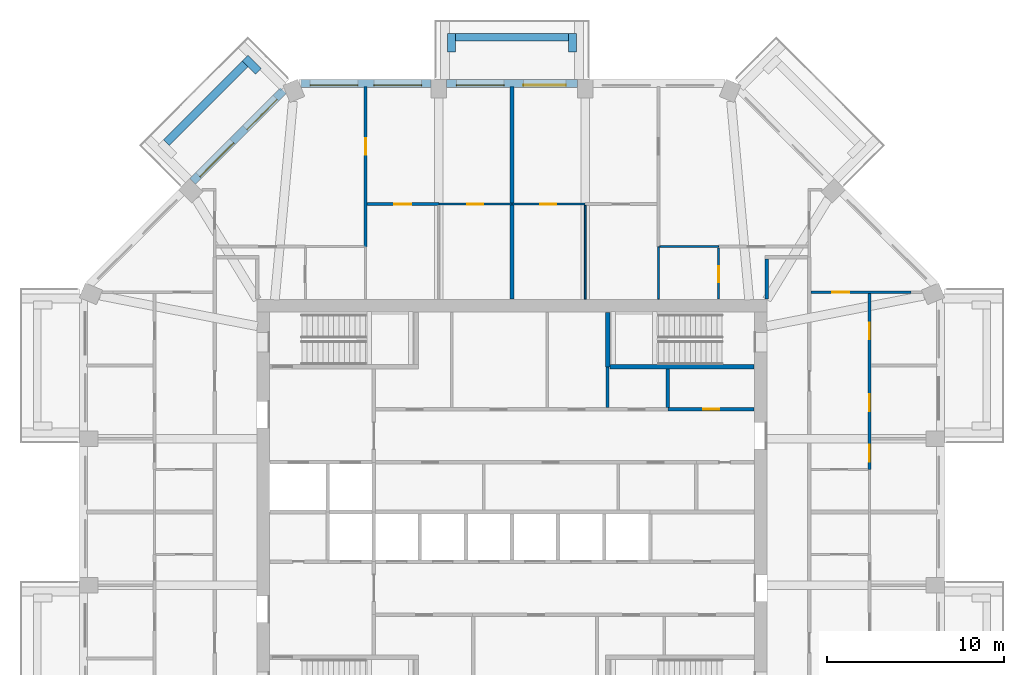
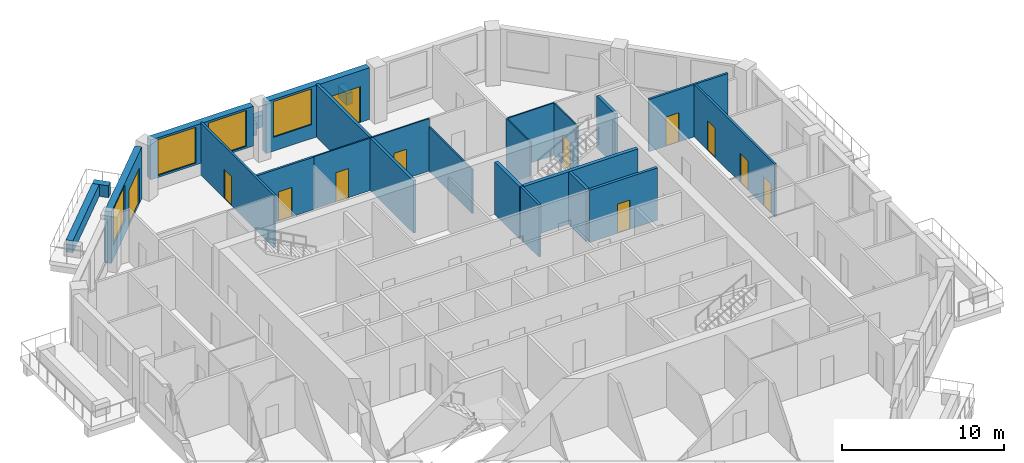
# One storey, part 8 of 12: 25 walls, 12 doors, 4 windows, 16 openings.
"""IFC4 building model written with IfcOpenShell, lengths in metres."""

from ifc_helpers import new_model, si_unit, direction, frame, frame_2d, origin, place, context, subcontext, project, spatial, rectangle, extrude, material, layer, layer_set, type_object, element, fill, save


model = new_model("IFC4")

# Units and contexts
model_context = context("Model", 3, precision=1e-05, world=origin(), true_north=direction((0.0, 1.0)))
body_context = subcontext(model_context, "Body", "Model", "MODEL_VIEW")
ifc_project = project(units=[si_unit("LENGTHUNIT", "METRE"), si_unit("AREAUNIT", "SQUARE_METRE"), si_unit("VOLUMEUNIT", "CUBIC_METRE"), si_unit("PLANEANGLEUNIT", "RADIAN"), si_unit("MASSUNIT", "GRAM", prefix="KILO")], contexts=[model_context])

# Site, building, storey
site_placement = place(None, origin())
site = spatial("IfcSite", under=ifc_project, at=site_placement, CompositionType="ELEMENT")
building_placement = place(site_placement, origin())
building = spatial("IfcBuilding", under=site, at=building_placement, Name="Msitu Wima Residences", CompositionType="ELEMENT")
storey_placement = place(building_placement, frame((0.0, 0.0, 166.5)))
storey = spatial("IfcBuildingStorey", under=building, at=storey_placement, Name="L38", CompositionType="ELEMENT", Elevation=166.5)

# Walls
ifc_material_1 = material(Name="Facing brick")
ifc_layer_1 = layer(ifc_material_1, 0.06494140625, Name="Facing brick")
ifc_material_2 = material(Name="Concrete C40/50", Category="concrete")
ifc_layer_2 = layer(ifc_material_2, 0.156005859375, Name="Concrete C40/50")
ifc_material_3 = material(Name="Waterproofing membrane")
ifc_layer_3 = layer(ifc_material_3, 0.00390625, Name="Waterproofing membrane")
ifc_material_4 = material(Name="Planting soil and planting")
ifc_layer_4 = layer(ifc_material_4, 0.22509765625, Name="Planting soil and planting")
ifc_layer_set_1 = layer_set([ifc_layer_1, ifc_layer_2, ifc_layer_3, ifc_layer_4], Name="Concrete C40/50")
wall_type_1 = type_object("IfcWallType", Name="Balcony planter PLANTER PL450", PredefinedType="USERDEFINED", material=ifc_layer_set_1)
wall_1_placement = place(storey_placement, frame((3.187255859375, 26.824951171875, 0.0), z_axis=(0.0, 0.0, 1.0), x_axis=(-1.0, 0.0, 0.0)))
element("IfcWall", 1, at=wall_1_placement, inside=storey, type_object=wall_type_1, Name="Balcony planter N1 L38", ObjectType="PLANTER", PredefinedType="USERDEFINED", context=body_context, shape_type="SweptSolid", body=[
    extrude(rectangle(XDim=6.37451171875, YDim=0.449951171875, at=frame_2d((3.187255859375, 0.0))), origin(), (0.0, 0.0, 1.0), 0.89990234375),
])
for number, where, z_axis, x_axis, name in (
    (2, (3.412353515625, 26.0, 0.0), (0.0, 0.0, 1.0), (0.0, 1.0, 0.0), "Balcony planter N1 L38"),
    (3, (-3.412353515625, 26.0, 0.0), (0.0, 0.0, 1.0), (0.0, 1.0, 0.0), "Balcony planter N1 L38"),
):
    element("IfcWall", number, at=place(storey_placement, frame(where, z_axis=z_axis, x_axis=x_axis)), inside=storey, type_object=wall_type_1, Name=name, ObjectType="PLANTER", PredefinedType="USERDEFINED", context=body_context, shape_type="SweptSolid", body=[
        extrude(rectangle(XDim=1.050048828125, YDim=0.449951171875, at=frame_2d((0.52490234375, 0.0))), origin(), (0.0, 0.0, 1.0), 0.89990234375),
    ])
wall_2_placement = place(storey_placement, frame((-15.0810546875, 25.325927734375, 0.0), z_axis=(0.0, 0.0, 1.0), x_axis=(-0.707106781187, -0.707106781187, 0.0)))
element("IfcWall", 4, at=wall_2_placement, inside=storey, type_object=wall_type_1, Name="Balcony planter NW0 L38", ObjectType="PLANTER", PredefinedType="USERDEFINED", context=body_context, shape_type="SweptSolid", body=[
    extrude(rectangle(XDim=6.294189453125, YDim=0.449951171875, at=frame_2d((3.14697265625, 0.0))), origin(), (0.0, 0.0, 1.0), 0.89990234375),
])
wall_3_placement = place(storey_placement, frame((-14.338623046875, 24.901611328125, 0.0), z_axis=(0.0, 0.0, 1.0), x_axis=(-0.707106781187, 0.707106781187, 0.0)))
element("IfcWall", 5, at=wall_3_placement, inside=storey, type_object=wall_type_1, Name="Balcony planter NW0 L38", ObjectType="PLANTER", PredefinedType="USERDEFINED", context=body_context, shape_type="SweptSolid", body=[
    extrude(rectangle(XDim=1.050048828125, YDim=0.449951171875, at=frame_2d((0.52490234375, 0.0))), origin(), (0.0, 0.0, 1.0), 0.89990234375),
])

# Wall, openings, door, window
ifc_material_5 = material(Name="Brick (red buff mix)", Category="masonry")
ifc_layer_5 = layer(ifc_material_5, 0.449951171875)
ifc_layer_set_2 = layer_set([ifc_layer_5], Name="Brick (red buff mix)")
wall_type_2 = type_object("IfcWallType", Name="Brick infill wall BW450", PredefinedType="SOLIDWALL", material=ifc_layer_set_2)
wall_4_placement = place(storey_placement, frame((3.687255859375, 24.22509765625, 0.0), z_axis=(0.0, 0.0, 1.0), x_axis=(-1.0, 0.0, 0.0)))
wall_4 = element("IfcWall", 6, at=wall_4_placement, inside=storey, type_object=wall_type_2, Name="Brick infill wall L38 N1", PredefinedType="SOLIDWALL", context=body_context, shape_type="SweptSolid", body=[
    extrude(rectangle(XDim=7.37451171875, YDim=0.449951171875, at=frame_2d((3.687255859375, 0.0))), origin(), (0.0, 0.0, 1.0), 3.89990234375),
])
opening_1_placement = place(wall_4_placement, frame((0.6435546875, 0.0, 0.0)))
opening_1 = element("IfcOpeningElement", 7, at=opening_1_placement, cuts=wall_4, Name="Opening D38-39.003", PredefinedType="OPENING", context=body_context, shape_type="SweptSolid", body=[
    extrude(rectangle(XDim=2.39990234375, YDim=2.699951171875, at=frame_2d((1.199951171875, 1.35009765625))), frame((0.0, 0.23486328125, 0.0), z_axis=(0.0, -1.0, 0.0), x_axis=(1.0, 0.0, 0.0)), (0.0, 0.0, 1.0), 0.469970703125),
])
opening_2_placement = place(wall_4_placement, frame((4.13720703125, 0.0, 1.050048828125)))
opening_2 = element("IfcOpeningElement", 8, at=opening_2_placement, cuts=wall_4, Name="Opening W38-39.007", PredefinedType="OPENING", context=body_context, shape_type="SweptSolid", body=[
    extrude(rectangle(XDim=2.699951171875, YDim=2.699951171875, at=frame_2d((1.35009765625, 1.35009765625))), frame((0.0, 0.23486328125, 0.0), z_axis=(0.0, -1.0, 0.0), x_axis=(1.0, 0.0, 0.0)), (0.0, 0.0, 1.0), 0.469970703125),
])
ifc_material_6 = material(Name="Anodised aluminium, bronze finish, clear low-emissivity double glazing", Category="aluminium")
door_type_1 = type_object("IfcDoorType", Name="Balcony door D2400x2700", OperationType="SLIDING_TO_LEFT", PredefinedType="DOOR", material=ifc_material_6)
door_1_placement = place(opening_1_placement, origin())
door_1 = element("IfcDoor", 9, at=door_1_placement, inside=storey, type_object=door_type_1, Name="Balcony door L38 N1", OperationType="SINGLE_SWING_LEFT", OverallHeight=2.699951171875, OverallWidth=2.39990234375, PredefinedType="DOOR", context=body_context, shape_type="SweptSolid", body=[
    extrude(rectangle(XDim=2.39990234375, YDim=2.699951171875, at=frame_2d((1.199951171875, 1.35009765625))), frame((0.0, 0.1298828125, 0.0), z_axis=(0.0, -1.0, 0.0), x_axis=(1.0, 0.0, 0.0)), (0.0, 0.0, 1.0), 0.050048828125),
])
fill(opening_1, door_1)
window_type = type_object("IfcWindowType", Name="Window W2700x2700", PartitioningType="DOUBLE_PANEL_VERTICAL", PredefinedType="WINDOW", material=ifc_material_6)
window_1_placement = place(opening_2_placement, origin())
window_1 = element("IfcWindow", 10, at=window_1_placement, inside=storey, type_object=window_type, Name="Window L38 N1.2", OverallHeight=2.699951171875, OverallWidth=2.699951171875, PartitioningType="SINGLE_PANEL", PredefinedType="WINDOW", context=body_context, shape_type="SweptSolid", body=[
    extrude(rectangle(XDim=2.699951171875, YDim=2.699951171875, at=frame_2d((1.35009765625, 1.35009765625))), frame((0.0, 0.135009765625, 0.0), z_axis=(0.0, -1.0, 0.0), x_axis=(1.0, 0.0, 0.0)), (0.0, 0.0, 1.0), 0.06005859375),
])
fill(opening_2, window_1)

# Wall, openings, windows
wall_5_placement = place(storey_placement, frame((-4.587158203125, 24.22509765625, 0.89990234375), z_axis=(0.0, 0.0, 1.0), x_axis=(-1.0, 0.0, 0.0)))
wall_5 = element("IfcWall", 11, at=wall_5_placement, inside=storey, type_object=wall_type_2, Name="Brick infill wall L38 N2", PredefinedType="SOLIDWALL", context=body_context, shape_type="SweptSolid", body=[
    extrude(rectangle(XDim=7.337646484375, YDim=0.449951171875, at=frame_2d((3.6689453125, 0.0))), origin(), (0.0, 0.0, 1.0), 3.0),
])
opening_3_placement = place(wall_5_placement, frame((0.518798828125, 0.0, 0.14990234375)))
opening_3 = element("IfcOpeningElement", 12, at=opening_3_placement, cuts=wall_5, Name="Opening W38-39.008", PredefinedType="OPENING", context=body_context, shape_type="SweptSolid", body=[
    extrude(rectangle(XDim=2.699951171875, YDim=2.699951171875, at=frame_2d((1.35009765625, 1.35009765625))), frame((0.0, 0.23486328125, 0.0), z_axis=(0.0, -1.0, 0.0), x_axis=(1.0, 0.0, 0.0)), (0.0, 0.0, 1.0), 0.469970703125),
])
opening_4_placement = place(wall_5_placement, frame((4.11865234375, 0.0, 0.14990234375)))
opening_4 = element("IfcOpeningElement", 13, at=opening_4_placement, cuts=wall_5, Name="Opening W38-39.009", PredefinedType="OPENING", context=body_context, shape_type="SweptSolid", body=[
    extrude(rectangle(XDim=2.699951171875, YDim=2.699951171875, at=frame_2d((1.35009765625, 1.35009765625))), frame((0.0, 0.23486328125, 0.0), z_axis=(0.0, -1.0, 0.0), x_axis=(1.0, 0.0, 0.0)), (0.0, 0.0, 1.0), 0.469970703125),
])
window_2_placement = place(opening_3_placement, origin())
window_2 = element("IfcWindow", 14, at=window_2_placement, inside=storey, type_object=window_type, Name="Window L38 N2.1", OverallHeight=2.699951171875, OverallWidth=2.699951171875, PartitioningType="SINGLE_PANEL", PredefinedType="WINDOW", context=body_context, shape_type="SweptSolid", body=[
    extrude(rectangle(XDim=2.699951171875, YDim=2.699951171875, at=frame_2d((1.35009765625, 1.35009765625))), frame((0.0, 0.135009765625, 0.0), z_axis=(0.0, -1.0, 0.0), x_axis=(1.0, 0.0, 0.0)), (0.0, 0.0, 1.0), 0.06005859375),
])
fill(opening_3, window_2)
window_3_placement = place(opening_4_placement, origin())
window_3 = element("IfcWindow", 15, at=window_3_placement, inside=storey, type_object=window_type, Name="Window L38 N2.2", OverallHeight=2.699951171875, OverallWidth=2.699951171875, PartitioningType="SINGLE_PANEL", PredefinedType="WINDOW", context=body_context, shape_type="SweptSolid", body=[
    extrude(rectangle(XDim=2.699951171875, YDim=2.699951171875, at=frame_2d((1.35009765625, 1.35009765625))), frame((0.0, 0.135009765625, 0.0), z_axis=(0.0, -1.0, 0.0), x_axis=(1.0, 0.0, 0.0)), (0.0, 0.0, 1.0), 0.06005859375),
])
fill(opening_4, window_3)

# Wall, openings, door, window
wall_6_placement = place(storey_placement, frame((-12.915283203125, 23.814697265625, 0.0), z_axis=(0.0, 0.0, 1.0), x_axis=(-0.707106781187, -0.707106781187, 0.0)))
wall_6 = element("IfcWall", 16, at=wall_6_placement, inside=storey, type_object=wall_type_2, Name="Brick infill wall L38 NW0", PredefinedType="SOLIDWALL", context=body_context, shape_type="SweptSolid", body=[
    extrude(rectangle(XDim=7.257080078125, YDim=0.449951171875, at=frame_2d((3.62841796875, 0.0))), origin(), (0.0, 0.0, 1.0), 3.89990234375),
])
opening_5_placement = place(wall_6_placement, frame((0.6142578125, 0.0, 0.0)))
opening_5 = element("IfcOpeningElement", 17, at=opening_5_placement, cuts=wall_6, Name="Opening D38-39.005", PredefinedType="OPENING", context=body_context, shape_type="SweptSolid", body=[
    extrude(rectangle(XDim=2.39990234375, YDim=2.699951171875, at=frame_2d((1.199951171875, 1.35009765625))), frame((0.0, 0.23486328125, 0.0), z_axis=(0.0, -1.0, 0.0), x_axis=(1.0, 0.0, 0.0)), (0.0, 0.0, 1.0), 0.469970703125),
])
opening_6_placement = place(wall_6_placement, frame((4.07861328125, 0.0, 1.050048828125)))
opening_6 = element("IfcOpeningElement", 18, at=opening_6_placement, cuts=wall_6, Name="Opening W38-39.013", PredefinedType="OPENING", context=body_context, shape_type="SweptSolid", body=[
    extrude(rectangle(XDim=2.699951171875, YDim=2.699951171875, at=frame_2d((1.35009765625, 1.35009765625))), frame((0.0, 0.23486328125, 0.0), z_axis=(0.0, -1.0, 0.0), x_axis=(1.0, 0.0, 0.0)), (0.0, 0.0, 1.0), 0.469970703125),
])
door_2_placement = place(opening_5_placement, origin())
door_2 = element("IfcDoor", 19, at=door_2_placement, inside=storey, type_object=door_type_1, Name="Balcony door L38 NW0", OperationType="SINGLE_SWING_LEFT", OverallHeight=2.699951171875, OverallWidth=2.39990234375, PredefinedType="DOOR", context=body_context, shape_type="SweptSolid", body=[
    extrude(rectangle(XDim=2.39990234375, YDim=2.699951171875, at=frame_2d((1.199951171875, 1.35009765625))), frame((0.0, 0.1298828125, 0.0), z_axis=(0.0, -1.0, 0.0), x_axis=(1.0, 0.0, 0.0)), (0.0, 0.0, 1.0), 0.050048828125),
])
fill(opening_5, door_2)
window_4_placement = place(opening_6_placement, origin())
window_4 = element("IfcWindow", 20, at=window_4_placement, inside=storey, type_object=window_type, Name="Window L38 NW0.2", OverallHeight=2.699951171875, OverallWidth=2.699951171875, PartitioningType="SINGLE_PANEL", PredefinedType="WINDOW", context=body_context, shape_type="SweptSolid", body=[
    extrude(rectangle(XDim=2.699951171875, YDim=2.699951171875, at=frame_2d((1.35009765625, 1.35009765625))), frame((0.0, 0.135009765625, 0.0), z_axis=(0.0, -1.0, 0.0), x_axis=(1.0, 0.0, 0.0)), (0.0, 0.0, 1.0), 0.06005859375),
])
fill(opening_6, window_4)

# Wall
ifc_material_7 = material(Name="Plaster")
ifc_layer_6 = layer(ifc_material_7, 0.011962890625, Name="Plaster")
ifc_material_8 = material(Name="Concrete blockwork", Category="masonry")
ifc_layer_7 = layer(ifc_material_8, 0.176025390625, Name="Concrete blockwork")
ifc_layer_8 = layer(ifc_material_7, 0.011962890625, Name="Plaster")
ifc_layer_set_3 = layer_set([ifc_layer_6, ifc_layer_7, ifc_layer_8], Name="Concrete blockwork")
wall_type_3 = type_object("IfcWallType", Name="Corridor wall FW200", PredefinedType="PARTITIONING", material=ifc_layer_set_3)
wall_7_placement = place(storey_placement, frame((14.39990234375, 12.030029296875, 0.0), z_axis=(0.0, 0.0, 1.0), x_axis=(0.0, 1.0, 0.0)))
element("IfcWall", 21, at=wall_7_placement, inside=storey, type_object=wall_type_3, Name="Corridor wall", PredefinedType="PARTITIONING", context=body_context, shape_type="SweptSolid", body=[
    extrude(rectangle(XDim=2.27001953125, YDim=0.199951171875, at=frame_2d((1.135009765625, 0.0))), origin(), (0.0, 0.0, 1.0), 3.949951171875),
])

# Wall, opening, door
ifc_layer_9 = layer(ifc_material_7, 0.011962890625, Name="Plaster")
ifc_layer_10 = layer(ifc_material_8, 0.1259765625, Name="Concrete blockwork")
ifc_layer_11 = layer(ifc_material_7, 0.011962890625, Name="Plaster")
ifc_layer_set_4 = layer_set([ifc_layer_9, ifc_layer_10, ifc_layer_11], Name="Concrete blockwork")
wall_type_4 = type_object("IfcWallType", Name="Partition PW150", PredefinedType="PARTITIONING", material=ifc_layer_set_4)
wall_8_placement = place(storey_placement, frame((-8.2744140625, 14.97998046875, 0.0), z_axis=(0.0, 0.0, 1.0), x_axis=(0.0, 1.0, 0.0)))
wall_8 = element("IfcWall", 22, at=wall_8_placement, inside=storey, type_object=wall_type_4, Name="Partition", PredefinedType="PARTITIONING", context=body_context, shape_type="SweptSolid", body=[
    extrude(rectangle(XDim=9.074951171875, YDim=0.14990234375, at=frame_2d((4.53759765625, 0.0))), origin(), (0.0, 0.0, 1.0), 3.949951171875),
])
opening_7_placement = place(wall_8_placement, frame((5.199951171875, 0.0, 0.0)))
opening_7 = element("IfcOpeningElement", 23, at=opening_7_placement, cuts=wall_8, Name="Opening D38-39.032", PredefinedType="OPENING", context=body_context, shape_type="SweptSolid", body=[
    extrude(rectangle(XDim=0.949951171875, YDim=2.199951171875, at=frame_2d((0.47509765625, 1.10009765625))), frame((0.0, 0.0849609375, 0.0), z_axis=(0.0, -1.0, 0.0), x_axis=(1.0, 0.0, 0.0)), (0.0, 0.0, 1.0), 0.169921875),
])
ifc_material_9 = material(Name="Timber flush door", Category="wood")
door_type_2 = type_object("IfcDoorType", Name="Room door D12 950x2200", OperationType="SINGLE_SWING_LEFT", PredefinedType="DOOR", material=ifc_material_9)
door_3_placement = place(opening_7_placement, origin())
door_3 = element("IfcDoor", 24, at=door_3_placement, inside=storey, type_object=door_type_2, Name="Room door", OperationType="SINGLE_SWING_RIGHT", OverallHeight=2.199951171875, OverallWidth=0.949951171875, PredefinedType="DOOR", context=body_context, shape_type="SweptSolid", body=[
    extrude(rectangle(XDim=0.949951171875, YDim=2.199951171875, at=frame_2d((0.47509765625, 1.10009765625))), frame((0.0, 0.02490234375, 0.0), z_axis=(0.0, -1.0, 0.0), x_axis=(1.0, 0.0, 0.0)), (0.0, 0.0, 1.0), 0.050048828125),
])
fill(opening_7, door_3)

wall_9_placement = place(storey_placement, frame((-8.199462890625, 17.39990234375, 0.0), z_axis=(0.0, 0.0, 1.0), x_axis=(1.0, 0.0, 0.0)))
wall_9 = element("IfcWall", 25, at=wall_9_placement, inside=storey, type_object=wall_type_4, Name="Partition", PredefinedType="PARTITIONING", context=body_context, shape_type="SweptSolid", body=[
    extrude(rectangle(XDim=4.062255859375, YDim=0.14990234375, at=frame_2d((2.03125, 0.0))), origin(), (0.0, 0.0, 1.0), 3.949951171875),
])
opening_8_placement = place(wall_9_placement, frame((1.550048828125, 0.0, 0.0)))
opening_8 = element("IfcOpeningElement", 26, at=opening_8_placement, cuts=wall_9, Name="Opening D38-39.025", PredefinedType="OPENING", context=body_context, shape_type="SweptSolid", body=[
    extrude(rectangle(XDim=0.949951171875, YDim=2.199951171875, at=frame_2d((0.47509765625, 1.10009765625))), frame((0.0, 0.0849609375, 0.0), z_axis=(0.0, -1.0, 0.0), x_axis=(1.0, 0.0, 0.0)), (0.0, 0.0, 1.0), 0.169921875),
])
door_4_placement = place(opening_8_placement, origin())
door_4 = element("IfcDoor", 27, at=door_4_placement, inside=storey, type_object=door_type_2, Name="Room door", OperationType="SINGLE_SWING_LEFT", OverallHeight=2.199951171875, OverallWidth=0.949951171875, PredefinedType="DOOR", context=body_context, shape_type="SweptSolid", body=[
    extrude(rectangle(XDim=0.949951171875, YDim=2.199951171875, at=frame_2d((0.47509765625, 1.10009765625))), frame((0.0, 0.02490234375, 0.0), z_axis=(0.0, -1.0, 0.0), x_axis=(1.0, 0.0, 0.0)), (0.0, 0.0, 1.0), 0.050048828125),
])
fill(opening_8, door_4)

# Wall
wall_10_placement = place(storey_placement, frame((5.39990234375, 5.89990234375, 0.0), z_axis=(0.0, 0.0, 1.0), x_axis=(0.0, 1.0, 0.0)))
element("IfcWall", 28, at=wall_10_placement, inside=storey, type_object=wall_type_4, Name="Partition", PredefinedType="PARTITIONING", context=body_context, shape_type="SweptSolid", body=[
    extrude(rectangle(XDim=2.300048828125, YDim=0.14990234375, at=frame_2d((1.14990234375, 0.0))), origin(), (0.0, 0.0, 1.0), 3.949951171875),
])

# Wall, opening, door
wall_11_placement = place(storey_placement, frame((16.89990234375, 12.411865234375, 0.0), z_axis=(0.0, 0.0, 1.0), x_axis=(1.0, 0.0, 0.0)))
wall_11 = element("IfcWall", 29, at=wall_11_placement, inside=storey, type_object=wall_type_4, Name="Partition", PredefinedType="PARTITIONING", context=body_context, shape_type="SweptSolid", body=[
    extrude(rectangle(XDim=5.638427734375, YDim=0.14990234375, at=frame_2d((2.8193359375, 0.0))), origin(), (0.0, 0.0, 1.0), 3.949951171875),
])
opening_9_placement = place(wall_11_placement, frame((1.199951171875, 0.0, 0.0)))
opening_9 = element("IfcOpeningElement", 30, at=opening_9_placement, cuts=wall_11, Name="Opening D38-39.018", PredefinedType="OPENING", context=body_context, shape_type="SweptSolid", body=[
    extrude(rectangle(XDim=0.949951171875, YDim=2.199951171875, at=frame_2d((0.47509765625, 1.10009765625))), frame((0.0, 0.0849609375, 0.0), z_axis=(0.0, -1.0, 0.0), x_axis=(1.0, 0.0, 0.0)), (0.0, 0.0, 1.0), 0.169921875),
])
door_5_placement = place(opening_9_placement, origin())
door_5 = element("IfcDoor", 31, at=door_5_placement, inside=storey, type_object=door_type_2, Name="Room door", OperationType="SINGLE_SWING_LEFT", OverallHeight=2.199951171875, OverallWidth=0.949951171875, PredefinedType="DOOR", context=body_context, shape_type="SweptSolid", body=[
    extrude(rectangle(XDim=0.949951171875, YDim=2.199951171875, at=frame_2d((0.47509765625, 1.10009765625))), frame((0.0, 0.02490234375, 0.0), z_axis=(0.0, -1.0, 0.0), x_axis=(1.0, 0.0, 0.0)), (0.0, 0.0, 1.0), 0.050048828125),
])
fill(opening_9, door_5)

# Wall, openings, doors
wall_12_placement = place(storey_placement, frame((20.199951171875, 2.39990234375, 0.0), z_axis=(0.0, 0.0, 1.0), x_axis=(0.0, 1.0, 0.0)))
wall_12 = element("IfcWall", 32, at=wall_12_placement, inside=storey, type_object=wall_type_4, Name="Partition", PredefinedType="PARTITIONING", context=body_context, shape_type="SweptSolid", body=[
    extrude(rectangle(XDim=9.936767578125, YDim=0.14990234375, at=frame_2d((4.96826171875, 0.0))), origin(), (0.0, 0.0, 1.0), 3.949951171875),
])
opening_10_placement = place(wall_12_placement, frame((0.449951171875, 0.0, 0.0)))
opening_10 = element("IfcOpeningElement", 33, at=opening_10_placement, cuts=wall_12, Name="Opening D38-39.015", PredefinedType="OPENING", context=body_context, shape_type="SweptSolid", body=[
    extrude(rectangle(XDim=0.949951171875, YDim=2.199951171875, at=frame_2d((0.47509765625, 1.10009765625))), frame((0.0, 0.0849609375, 0.0), z_axis=(0.0, -1.0, 0.0), x_axis=(1.0, 0.0, 0.0)), (0.0, 0.0, 1.0), 0.169921875),
])
opening_11_placement = place(wall_12_placement, frame((3.300048828125, 0.0, 0.0)))
opening_11 = element("IfcOpeningElement", 34, at=opening_11_placement, cuts=wall_12, Name="Opening D38-39.016", PredefinedType="OPENING", context=body_context, shape_type="SweptSolid", body=[
    extrude(rectangle(XDim=0.949951171875, YDim=2.199951171875, at=frame_2d((0.47509765625, 1.10009765625))), frame((0.0, 0.0849609375, 0.0), z_axis=(0.0, -1.0, 0.0), x_axis=(1.0, 0.0, 0.0)), (0.0, 0.0, 1.0), 0.169921875),
])
opening_12_placement = place(wall_12_placement, frame((7.35009765625, 0.0, 0.0)))
opening_12 = element("IfcOpeningElement", 35, at=opening_12_placement, cuts=wall_12, Name="Opening D38-39.017", PredefinedType="OPENING", context=body_context, shape_type="SweptSolid", body=[
    extrude(rectangle(XDim=0.949951171875, YDim=2.199951171875, at=frame_2d((0.47509765625, 1.10009765625))), frame((0.0, 0.0849609375, 0.0), z_axis=(0.0, -1.0, 0.0), x_axis=(1.0, 0.0, 0.0)), (0.0, 0.0, 1.0), 0.169921875),
])
door_6_placement = place(opening_10_placement, origin())
door_6 = element("IfcDoor", 36, at=door_6_placement, inside=storey, type_object=door_type_2, Name="Room door", OperationType="SINGLE_SWING_LEFT", OverallHeight=2.199951171875, OverallWidth=0.949951171875, PredefinedType="DOOR", context=body_context, shape_type="SweptSolid", body=[
    extrude(rectangle(XDim=0.949951171875, YDim=2.199951171875, at=frame_2d((0.47509765625, 1.10009765625))), frame((0.0, 0.02490234375, 0.0), z_axis=(0.0, -1.0, 0.0), x_axis=(1.0, 0.0, 0.0)), (0.0, 0.0, 1.0), 0.050048828125),
])
fill(opening_10, door_6)
door_7_placement = place(opening_11_placement, origin())
door_7 = element("IfcDoor", 37, at=door_7_placement, inside=storey, type_object=door_type_2, Name="Room door", OperationType="SINGLE_SWING_RIGHT", OverallHeight=2.199951171875, OverallWidth=0.949951171875, PredefinedType="DOOR", context=body_context, shape_type="SweptSolid", body=[
    extrude(rectangle(XDim=0.949951171875, YDim=2.199951171875, at=frame_2d((0.47509765625, 1.10009765625))), frame((0.0, 0.02490234375, 0.0), z_axis=(0.0, -1.0, 0.0), x_axis=(1.0, 0.0, 0.0)), (0.0, 0.0, 1.0), 0.050048828125),
])
fill(opening_11, door_7)
door_8_placement = place(opening_12_placement, origin())
door_8 = element("IfcDoor", 38, at=door_8_placement, inside=storey, type_object=door_type_2, Name="Room door", OperationType="SINGLE_SWING_RIGHT", OverallHeight=2.199951171875, OverallWidth=0.949951171875, PredefinedType="DOOR", context=body_context, shape_type="SweptSolid", body=[
    extrude(rectangle(XDim=0.949951171875, YDim=2.199951171875, at=frame_2d((0.47509765625, 1.10009765625))), frame((0.0, 0.02490234375, 0.0), z_axis=(0.0, -1.0, 0.0), x_axis=(1.0, 0.0, 0.0)), (0.0, 0.0, 1.0), 0.050048828125),
])
fill(opening_12, door_8)

# Wall
ifc_layer_12 = layer(ifc_material_7, 0.011962890625, Name="Plaster")
ifc_material_10 = material(Name="Dense concrete blockwork", Category="masonry")
ifc_layer_13 = layer(ifc_material_10, 0.176025390625, Name="Dense concrete blockwork")
ifc_layer_14 = layer(ifc_material_7, 0.011962890625, Name="Plaster")
ifc_layer_set_5 = layer_set([ifc_layer_12, ifc_layer_13, ifc_layer_14], Name="Dense concrete blockwork")
wall_type_5 = type_object("IfcWallType", Name="Party wall PW200", PredefinedType="PARTITIONING", material=ifc_layer_set_5)
wall_13_placement = place(storey_placement, frame((0.0, 12.030029296875, 0.0), z_axis=(0.0, 0.0, 1.0), x_axis=(0.0, 1.0, 0.0)))
element("IfcWall", 39, at=wall_13_placement, inside=storey, type_object=wall_type_5, Name="Party wall", PredefinedType="PARTITIONING", context=body_context, shape_type="SweptSolid", body=[
    extrude(rectangle(XDim=12.02490234375, YDim=0.199951171875, at=frame_2d((6.012451171875, 0.0))), origin(), (0.0, 0.0, 1.0), 3.949951171875),
])

# Wall, opening, door
ifc_layer_15 = layer(ifc_material_7, 0.011962890625, Name="Plaster")
ifc_material_11 = material(Name="Reinforced concrete blockwork", Category="masonry")
ifc_layer_16 = layer(ifc_material_11, 0.176025390625, Name="Reinforced concrete blockwork")
ifc_layer_17 = layer(ifc_material_7, 0.011962890625, Name="Plaster")
ifc_layer_set_6 = layer_set([ifc_layer_15, ifc_layer_16, ifc_layer_17], Name="Reinforced concrete blockwork")
wall_type_6 = type_object("IfcWallType", Name="Plant and riser wall PL200", PredefinedType="PARTITIONING", material=ifc_layer_set_6)
wall_14_placement = place(storey_placement, frame((8.820068359375, 5.800048828125, 0.0), z_axis=(0.0, 0.0, 1.0), x_axis=(1.0, 0.0, 0.0)))
wall_14 = element("IfcWall", 40, at=wall_14_placement, inside=storey, type_object=wall_type_6, Name="Plant and riser wall", PredefinedType="PARTITIONING", context=body_context, shape_type="SweptSolid", body=[
    extrude(rectangle(XDim=4.849853515625, YDim=0.199951171875, at=frame_2d((2.4248046875, 0.0))), origin(), (0.0, 0.0, 1.0), 3.949951171875),
])
opening_13_placement = place(wall_14_placement, frame((2.0, 0.0, 0.0)))
opening_13 = element("IfcOpeningElement", 41, at=opening_13_placement, cuts=wall_14, Name="Opening D38-39.068", PredefinedType="OPENING", context=body_context, shape_type="SweptSolid", body=[
    extrude(rectangle(XDim=0.89990234375, YDim=2.199951171875, at=frame_2d((0.449951171875, 1.10009765625))), frame((0.0, 0.10986328125, 0.0), z_axis=(0.0, -1.0, 0.0), x_axis=(1.0, 0.0, 0.0)), (0.0, 0.0, 1.0), 0.219970703125),
])
door_type_3 = type_object("IfcDoorType", Name="Service door D05 900x2200", OperationType="SINGLE_SWING_LEFT", PredefinedType="DOOR", material=ifc_material_9)
door_9_placement = place(opening_13_placement, origin())
door_9 = element("IfcDoor", 42, at=door_9_placement, inside=storey, type_object=door_type_3, Name="Service door", OperationType="SINGLE_SWING_LEFT", OverallHeight=2.199951171875, OverallWidth=0.89990234375, PredefinedType="DOOR", context=body_context, shape_type="SweptSolid", body=[
    extrude(rectangle(XDim=0.89990234375, YDim=2.199951171875, at=frame_2d((0.449951171875, 1.10009765625))), frame((0.0, 0.02490234375, 0.0), z_axis=(0.0, -1.0, 0.0), x_axis=(1.0, 0.0, 0.0)), (0.0, 0.0, 1.0), 0.050048828125),
])
fill(opening_13, door_9)

# Walls
wall_15_placement = place(storey_placement, frame((8.800048828125, 5.89990234375, 0.0), z_axis=(0.0, 0.0, 1.0), x_axis=(0.0, 1.0, 0.0)))
element("IfcWall", 43, at=wall_15_placement, inside=storey, type_object=wall_type_6, Name="Plant and riser wall", PredefinedType="PARTITIONING", context=body_context, shape_type="SweptSolid", body=[
    extrude(rectangle(XDim=2.175048828125, YDim=0.199951171875, at=frame_2d((1.08740234375, 0.0))), origin(), (0.0, 0.0, 1.0), 3.949951171875),
])
ifc_material_12 = material(Name="Concrete C50/60", Category="concrete")
ifc_layer_18 = layer(ifc_material_12, 0.25)
ifc_layer_set_7 = layer_set([ifc_layer_18], Name="Concrete C50/60")
wall_type_7 = type_object("IfcWallType", Name="Stair enclosure wall SW250", PredefinedType="SHEAR", material=ifc_layer_set_7)
wall_16_placement = place(storey_placement, frame((5.39990234375, 8.199951171875, 0.0), z_axis=(0.0, 0.0, 1.0), x_axis=(0.0, 1.0, 0.0)))
element("IfcWall", 44, at=wall_16_placement, inside=storey, type_object=wall_type_7, Name="Stair enclosure wall", PredefinedType="SHEAR", context=body_context, shape_type="SweptSolid", body=[
    extrude(rectangle(XDim=3.070068359375, YDim=0.25, at=frame_2d((1.53515625, 0.0))), origin(), (0.0, 0.0, 1.0), 3.949951171875),
])
wall_17_placement = place(storey_placement, frame((5.52490234375, 8.199951171875, 0.0), z_axis=(0.0, 0.0, 1.0), x_axis=(1.0, 0.0, 0.0)))
element("IfcWall", 45, at=wall_17_placement, inside=storey, type_object=wall_type_7, Name="Stair enclosure wall", PredefinedType="SHEAR", context=body_context, shape_type="SweptSolid", body=[
    extrude(rectangle(XDim=8.14501953125, YDim=0.25, at=frame_2d((4.072509765625, 0.0))), origin(), (0.0, 0.0, 1.0), 3.949951171875),
])

# Wall, opening, door
ifc_material_13 = material(Name="Ceramic tiles")
ifc_layer_19 = layer(ifc_material_13, 0.008056640625, Name="Ceramic tiles")
ifc_material_14 = material(Name="Moisture-resistant board")
ifc_layer_20 = layer(ifc_material_14, 0.012451171875, Name="Moisture-resistant board")
ifc_material_15 = material(Name="Light-gauge stud framing with mineral wool")
ifc_layer_21 = layer(ifc_material_15, 0.06689453125, Name="Light-gauge stud framing with mineral wool")
ifc_layer_22 = layer(ifc_material_14, 0.012451171875, Name="Moisture-resistant board")
ifc_layer_set_8 = layer_set([ifc_layer_19, ifc_layer_20, ifc_layer_21, ifc_layer_22], Name="Light-gauge stud framing with mineral wool")
wall_type_8 = type_object("IfcWallType", Name="Wet wall PW100", PredefinedType="PARTITIONING", material=ifc_layer_set_8)
wall_18_placement = place(storey_placement, frame((-4.13720703125, 17.39990234375, 0.0), z_axis=(0.0, 0.0, 1.0), x_axis=(1.0, 0.0, 0.0)))
wall_18 = element("IfcWall", 46, at=wall_18_placement, inside=storey, type_object=wall_type_8, Name="Wet wall", PredefinedType="PARTITIONING", context=body_context, shape_type="SweptSolid", body=[
    extrude(rectangle(XDim=4.13720703125, YDim=0.10009765625, at=frame_2d((2.068603515625, 0.0))), origin(), (0.0, 0.0, 1.0), 3.949951171875),
])
opening_14_placement = place(wall_18_placement, frame((1.60009765625, 0.0, 0.0)))
opening_14 = element("IfcOpeningElement", 47, at=opening_14_placement, cuts=wall_18, Name="Opening D38-39.034", PredefinedType="OPENING", context=body_context, shape_type="SweptSolid", body=[
    extrude(rectangle(XDim=0.89990234375, YDim=2.199951171875, at=frame_2d((0.449951171875, 1.10009765625))), frame((0.0, 0.06005859375, 0.0), z_axis=(0.0, -1.0, 0.0), x_axis=(1.0, 0.0, 0.0)), (0.0, 0.0, 1.0), 0.1201171875),
])
ifc_material_16 = material(Name="Timber flush door, moisture resistant", Category="wood")
door_type_4 = type_object("IfcDoorType", Name="Bathroom door D03 900x2200", OperationType="SINGLE_SWING_LEFT", PredefinedType="DOOR", material=ifc_material_16)
door_10_placement = place(opening_14_placement, origin())
door_10 = element("IfcDoor", 48, at=door_10_placement, inside=storey, type_object=door_type_4, Name="Bathroom door", OperationType="SINGLE_SWING_LEFT", OverallHeight=2.199951171875, OverallWidth=0.89990234375, PredefinedType="DOOR", context=body_context, shape_type="SweptSolid", body=[
    extrude(rectangle(XDim=0.89990234375, YDim=2.199951171875, at=frame_2d((0.449951171875, 1.10009765625))), frame((0.0, 0.02490234375, 0.0), z_axis=(0.0, -1.0, 0.0), x_axis=(1.0, 0.0, 0.0)), (0.0, 0.0, 1.0), 0.050048828125),
])
fill(opening_14, door_10)

wall_19_placement = place(storey_placement, frame((0.0, 17.39990234375, 0.0), z_axis=(0.0, 0.0, 1.0), x_axis=(1.0, 0.0, 0.0)))
wall_19 = element("IfcWall", 49, at=wall_19_placement, inside=storey, type_object=wall_type_8, Name="Wet wall", PredefinedType="PARTITIONING", context=body_context, shape_type="SweptSolid", body=[
    extrude(rectangle(XDim=4.13720703125, YDim=0.10009765625, at=frame_2d((2.068603515625, 0.0))), origin(), (0.0, 0.0, 1.0), 3.949951171875),
])
opening_15_placement = place(wall_19_placement, frame((1.60009765625, 0.0, 0.0)))
opening_15 = element("IfcOpeningElement", 50, at=opening_15_placement, cuts=wall_19, Name="Opening D38-39.022", PredefinedType="OPENING", context=body_context, shape_type="SweptSolid", body=[
    extrude(rectangle(XDim=0.89990234375, YDim=2.199951171875, at=frame_2d((0.449951171875, 1.10009765625))), frame((0.0, 0.06005859375, 0.0), z_axis=(0.0, -1.0, 0.0), x_axis=(1.0, 0.0, 0.0)), (0.0, 0.0, 1.0), 0.1201171875),
])
door_11_placement = place(opening_15_placement, origin())
door_11 = element("IfcDoor", 51, at=door_11_placement, inside=storey, type_object=door_type_4, Name="Bathroom door", OperationType="SINGLE_SWING_RIGHT", OverallHeight=2.199951171875, OverallWidth=0.89990234375, PredefinedType="DOOR", context=body_context, shape_type="SweptSolid", body=[
    extrude(rectangle(XDim=0.89990234375, YDim=2.199951171875, at=frame_2d((0.449951171875, 1.10009765625))), frame((0.0, 0.02490234375, 0.0), z_axis=(0.0, -1.0, 0.0), x_axis=(1.0, 0.0, 0.0)), (0.0, 0.0, 1.0), 0.050048828125),
])
fill(opening_15, door_11)

# Walls
wall_20_placement = place(storey_placement, frame((4.13720703125, 12.030029296875, 0.0), z_axis=(0.0, 0.0, 1.0), x_axis=(0.0, 1.0, 0.0)))
element("IfcWall", 52, at=wall_20_placement, inside=storey, type_object=wall_type_8, Name="Wet wall", PredefinedType="PARTITIONING", context=body_context, shape_type="SweptSolid", body=[
    extrude(rectangle(XDim=5.294921875, YDim=0.10009765625, at=frame_2d((2.6474609375, 0.0))), origin(), (0.0, 0.0, 1.0), 3.35009765625),
])
wall_21_placement = place(storey_placement, frame((8.2744140625, 12.030029296875, 0.0), z_axis=(0.0, 0.0, 1.0), x_axis=(0.0, 1.0, 0.0)))
element("IfcWall", 53, at=wall_21_placement, inside=storey, type_object=wall_type_8, Name="Wet wall", PredefinedType="PARTITIONING", context=body_context, shape_type="SweptSolid", body=[
    extrude(rectangle(XDim=2.949951171875, YDim=0.10009765625, at=frame_2d((1.47509765625, 0.0))), origin(), (0.0, 0.0, 1.0), 3.949951171875),
])
wall_22_placement = place(storey_placement, frame((8.349609375, 15.0, 0.0), z_axis=(0.0, 0.0, 1.0), x_axis=(1.0, 0.0, 0.0)))
element("IfcWall", 54, at=wall_22_placement, inside=storey, type_object=wall_type_8, Name="Wet wall", PredefinedType="PARTITIONING", context=body_context, shape_type="SweptSolid", body=[
    extrude(rectangle(XDim=3.324951171875, YDim=0.10009765625, at=frame_2d((1.66259765625, 0.0))), origin(), (0.0, 0.0, 1.0), 3.949951171875),
])

# Wall, opening, door
wall_23_placement = place(storey_placement, frame((11.674560546875, 12.030029296875, 0.0), z_axis=(0.0, 0.0, 1.0), x_axis=(0.0, 1.0, 0.0)))
wall_23 = element("IfcWall", 55, at=wall_23_placement, inside=storey, type_object=wall_type_8, Name="Wet wall", PredefinedType="PARTITIONING", context=body_context, shape_type="SweptSolid", body=[
    extrude(rectangle(XDim=2.89501953125, YDim=0.10009765625, at=frame_2d((1.447509765625, 0.0))), origin(), (0.0, 0.0, 1.0), 3.949951171875),
])
opening_16_placement = place(wall_23_placement, frame((0.949951171875, 0.0, 0.0)))
opening_16 = element("IfcOpeningElement", 56, at=opening_16_placement, cuts=wall_23, Name="Opening D38-39.014", PredefinedType="OPENING", context=body_context, shape_type="SweptSolid", body=[
    extrude(rectangle(XDim=0.89990234375, YDim=2.199951171875, at=frame_2d((0.449951171875, 1.10009765625))), frame((0.0, 0.06005859375, 0.0), z_axis=(0.0, -1.0, 0.0), x_axis=(1.0, 0.0, 0.0)), (0.0, 0.0, 1.0), 0.1201171875),
])
door_12_placement = place(opening_16_placement, origin())
door_12 = element("IfcDoor", 57, at=door_12_placement, inside=storey, type_object=door_type_3, Name="Service door", OperationType="SINGLE_SWING_LEFT", OverallHeight=2.199951171875, OverallWidth=0.89990234375, PredefinedType="DOOR", context=body_context, shape_type="SweptSolid", body=[
    extrude(rectangle(XDim=0.89990234375, YDim=2.199951171875, at=frame_2d((0.449951171875, 1.10009765625))), frame((0.0, 0.02490234375, 0.0), z_axis=(0.0, -1.0, 0.0), x_axis=(1.0, 0.0, 0.0)), (0.0, 0.0, 1.0), 0.050048828125),
])
fill(opening_16, door_12)

save(model, "model.ifc")
